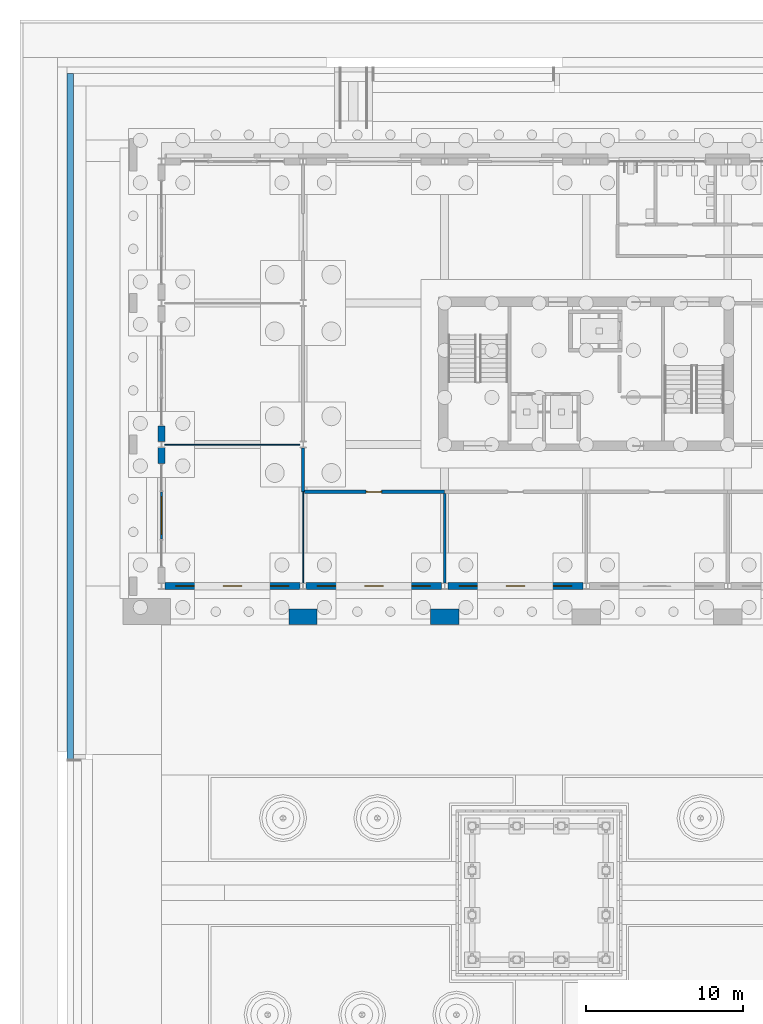
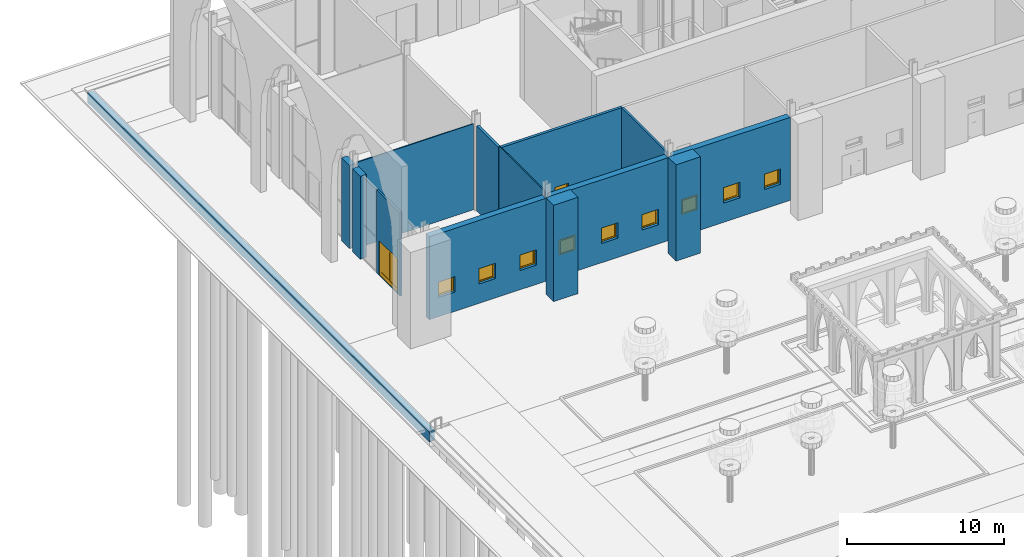
# One storey, part 102 of 250: 14 walls, 9 windows, 2 doors, 11 openings.
"""IFC4 building model written with IfcOpenShell, lengths in metres."""

from ifc_helpers import new_model, si_unit, direction, frame, frame_2d, origin, place, context, subcontext, project, spatial, polyline, rectangle, outline, extrude, material, layer, layer_set, type_object, element, fill, save


model = new_model("IFC4")

# Units and contexts
model_context = context("Model", 3, precision=1e-05, world=origin(), true_north=direction((0.0, 1.0)))
body_context = subcontext(model_context, "Body", "Model", "MODEL_VIEW")
ifc_project = project(units=[si_unit("LENGTHUNIT", "METRE"), si_unit("AREAUNIT", "SQUARE_METRE"), si_unit("VOLUMEUNIT", "CUBIC_METRE"), si_unit("PLANEANGLEUNIT", "RADIAN"), si_unit("MASSUNIT", "GRAM", prefix="KILO")], contexts=[model_context])

# Site, building, storey
site_placement = place(None, origin())
site = spatial("IfcSite", under=ifc_project, at=site_placement, CompositionType="ELEMENT")
building_placement = place(site_placement, origin())
building = spatial("IfcBuilding", under=site, at=building_placement, Name="Baradari Gate Terminus", CompositionType="ELEMENT")
storey_placement = place(building_placement, origin())
storey = spatial("IfcBuildingStorey", under=building, at=storey_placement, Name="L00", CompositionType="ELEMENT", Elevation=0.0)

# Wall, opening, door
ifc_material_1 = material(Name="Laminated glass in aluminium frame", Category="aluminium")
ifc_layer_1 = layer(ifc_material_1, 0.14990234375)
ifc_layer_set_1 = layer_set([ifc_layer_1], Name="Laminated glass in aluminium frame")
wall_type_1 = type_object("IfcWallType", Name="Glazed entrance screen WG-1 150", PredefinedType="ELEMENTEDWALL", material=ifc_layer_set_1)
wall_1_placement = place(storey_placement, frame((9.0, 120.0, 0.0), z_axis=(0.0, 0.0, 1.0), x_axis=(0.0, 1.0, 0.0)))
wall_1 = element("IfcWall", 1, at=wall_1_placement, inside=storey, type_object=wall_type_1, Name="Glazed entrance screen TW bay 13 L00", PredefinedType="ELEMENTEDWALL", context=body_context, shape_type="SweptSolid", body=[
    extrude(rectangle(XDim=3.0, YDim=0.14990234375, at=frame_2d((1.5, 0.0))), origin(), (0.0, 0.0, 1.0), 6.459716796875),
])
opening_1_placement = place(wall_1_placement, frame((0.300048828125, 0.0, 0.0)))
opening_1 = element("IfcOpeningElement", 2, at=opening_1_placement, cuts=wall_1, Name="Opening D00-007", PredefinedType="OPENING", context=body_context, shape_type="SweptSolid", body=[
    extrude(rectangle(XDim=2.39990234375, YDim=2.699951171875, at=frame_2d((1.199951171875, 1.35009765625))), frame((0.0, 0.0849609375, 0.0), z_axis=(0.0, -1.0, 0.0), x_axis=(1.0, 0.0, 0.0)), (0.0, 0.0, 1.0), 0.169921875),
])
ifc_material_2 = material(Name="Aluminium 6063-T6", Category="aluminium")
door_type_1 = type_object("IfcDoorType", Name="Shop entrance door pair, glazed DT-2 2400x2700", OperationType="DOUBLE_DOOR_DOUBLE_SWING", PredefinedType="DOOR", material=ifc_material_2)
door_1_placement = place(opening_1_placement, origin())
door_1 = element("IfcDoor", 3, at=door_1_placement, inside=storey, type_object=door_type_1, Name="Entrance door Kiosk 1", OperationType="DOUBLE_DOOR_SINGLE_SWING", OverallHeight=2.7, OverallWidth=2.4, PredefinedType="DOOR", context=body_context, shape_type="SweptSolid", body=[
    extrude(outline(polyline([(0.0, 0.0), (0.070068359375, 0.0), (0.070068359375, 2.6298828125), (2.329833984375, 2.6298828125), (2.329833984375, 0.0), (2.39990234375, 0.0), (2.39990234375, 2.699951171875), (0.0, 2.699951171875), (0.0, 0.0)])), frame((0.0, 0.02490234375, 0.0), z_axis=(0.0, -1.0, 0.0), x_axis=(1.0, 0.0, 0.0)), (0.0, 0.0, 1.0), 0.050048828125),
    extrude(outline(polyline([(0.073974609375, 0.010009765625), (1.19677734375, 0.010009765625), (1.19677734375, 2.6259765625), (0.073974609375, 2.6259765625), (0.073974609375, 0.010009765625)]), holes=[polyline([(0.1640625, 0.31005859375), (1.10693359375, 0.31005859375), (1.10693359375, 2.535888671875), (0.1640625, 2.535888671875), (0.1640625, 0.31005859375)])]), frame((0.0, 0.017333984375, 0.0), z_axis=(0.0, -1.0, 0.0), x_axis=(1.0, 0.0, 0.0)), (0.0, 0.0, 1.0), 0.034912109375),
    extrude(rectangle(XDim=0.94287109375, YDim=2.225830078125, at=frame_2d((0.635498046875, 1.4228515625))), frame((0.0, 0.005859375, 0.0), z_axis=(0.0, -1.0, 0.0), x_axis=(1.0, 0.0, 0.0)), (0.0, 0.0, 1.0), 0.011962890625),
    extrude(outline(polyline([(1.203125, 0.010009765625), (2.325927734375, 0.010009765625), (2.325927734375, 2.6259765625), (1.203125, 2.6259765625), (1.203125, 0.010009765625)]), holes=[polyline([(1.29296875, 0.31005859375), (2.23583984375, 0.31005859375), (2.23583984375, 2.535888671875), (1.29296875, 2.535888671875), (1.29296875, 0.31005859375)])]), frame((0.0, 0.017333984375, 0.0), z_axis=(0.0, -1.0, 0.0), x_axis=(1.0, 0.0, 0.0)), (0.0, 0.0, 1.0), 0.034912109375),
    extrude(rectangle(XDim=0.94287109375, YDim=2.225830078125, at=frame_2d((1.764404296875, 1.4228515625))), frame((0.0, 0.005859375, 0.0), z_axis=(0.0, -1.0, 0.0), x_axis=(1.0, 0.0, 0.0)), (0.0, 0.0, 1.0), 0.011962890625),
])
fill(opening_1, door_1)

# Walls
ifc_material_3 = material(Name="Aluminium framed glazed partition", Category="aluminium")
ifc_layer_2 = layer(ifc_material_3, 0.074951171875)
ifc_layer_set_2 = layer_set([ifc_layer_2], Name="Aluminium framed glazed partition")
wall_type_2 = type_object("IfcWallType", Name="Kiosk partition PT-9 75 EI 60", PredefinedType="PARTITIONING", material=ifc_layer_set_2)
wall_2_placement = place(storey_placement, frame((18.0, 123.0, 0.0), z_axis=(0.0, 0.0, 1.0), x_axis=(0.0, -1.0, 0.0)))
element("IfcWall", 4, at=wall_2_placement, inside=storey, type_object=wall_type_2, Name="PT-9 partition Kiosk 1 / Security Control Room", PredefinedType="PARTITIONING", context=body_context, shape_type="SweptSolid", body=[
    extrude(rectangle(XDim=5.80322265625, YDim=0.074951171875, at=frame_2d((2.901611328125, 0.0))), origin(), (0.0, 0.0, 1.0), 6.69189453125),
])
wall_3_placement = place(storey_placement, frame((9.199462890625, 126.0, 0.0), z_axis=(0.0, 0.0, 1.0), x_axis=(1.0, 0.0, 0.0)))
element("IfcWall", 5, at=wall_3_placement, inside=storey, type_object=wall_type_2, Name="PT-9 partition Kiosk 1 / Kiosk 2", PredefinedType="PARTITIONING", context=body_context, shape_type="SweptSolid", body=[
    extrude(rectangle(XDim=8.594482421875, YDim=0.074951171875, at=frame_2d((4.29736328125, 0.0))), origin(), (0.0, 0.0, 1.0), 6.69189453125),
])

# Wall, openings, windows
ifc_material_4 = material(Name="Laterite masonry", Category="masonry")
ifc_layer_3 = layer(ifc_material_4, 0.449951171875)
ifc_layer_set_3 = layer_set([ifc_layer_3], Name="Laterite masonry")
wall_type_3 = type_object("IfcWallType", Name="Laterite masonry pier WC-1 450", PredefinedType="SOLIDWALL", material=ifc_layer_set_3)
wall_4_placement = place(storey_placement, frame((9.22509765625, 117.0, 0.0), z_axis=(0.0, 0.0, 1.0), x_axis=(1.0, 0.0, 0.0)))
wall_4 = element("IfcWall", 6, at=wall_4_placement, inside=storey, type_object=wall_type_3, Name="Operations block south wall TS bay 2 L00", PredefinedType="SOLIDWALL", context=body_context, shape_type="SweptSolid", body=[
    extrude(rectangle(XDim=8.575439453125, YDim=0.449951171875, at=frame_2d((4.28759765625, 0.0))), origin(), (0.0, 0.0, 1.0), 6.459716796875),
])
opening_2_placement = place(wall_4_placement, frame((0.675048828125, 0.0, 1.5)))
opening_2 = element("IfcOpeningElement", 7, at=opening_2_placement, cuts=wall_4, Name="Opening W2", PredefinedType="OPENING", context=body_context, shape_type="SweptSolid", body=[
    extrude(rectangle(XDim=1.199951171875, YDim=1.199951171875, at=frame_2d((0.60009765625, 0.60009765625))), frame((0.0, 0.23486328125, 0.0), z_axis=(0.0, -1.0, 0.0), x_axis=(1.0, 0.0, 0.0)), (0.0, 0.0, 1.0), 0.469970703125),
])
opening_3_placement = place(wall_4_placement, frame((3.675048828125, 0.0, 1.5)))
opening_3 = element("IfcOpeningElement", 8, at=opening_3_placement, cuts=wall_4, Name="Opening W2", PredefinedType="OPENING", context=body_context, shape_type="SweptSolid", body=[
    extrude(rectangle(XDim=1.199951171875, YDim=1.199951171875, at=frame_2d((0.60009765625, 0.60009765625))), frame((0.0, 0.23486328125, 0.0), z_axis=(0.0, -1.0, 0.0), x_axis=(1.0, 0.0, 0.0)), (0.0, 0.0, 1.0), 0.469970703125),
])
opening_4_placement = place(wall_4_placement, frame((6.675048828125, 0.0, 1.5)))
opening_4 = element("IfcOpeningElement", 9, at=opening_4_placement, cuts=wall_4, Name="Opening W2", PredefinedType="OPENING", context=body_context, shape_type="SweptSolid", body=[
    extrude(rectangle(XDim=1.199951171875, YDim=1.199951171875, at=frame_2d((0.60009765625, 0.60009765625))), frame((0.0, 0.23486328125, 0.0), z_axis=(0.0, -1.0, 0.0), x_axis=(1.0, 0.0, 0.0)), (0.0, 0.0, 1.0), 0.469970703125),
])
ifc_material_5 = material(Name="Aluminium 6063-T6", Category="aluminium")
window_type = type_object("IfcWindowType", Name="High-level window W2 1200x1200", PartitioningType="SINGLE_PANEL", PredefinedType="WINDOW", material=ifc_material_5)
window_1_placement = place(opening_2_placement, origin())
window_1 = element("IfcWindow", 10, at=window_1_placement, inside=storey, type_object=window_type, Name="Window W2 TS/01", OverallHeight=1.2, OverallWidth=1.2, PartitioningType="SINGLE_PANEL", PredefinedType="WINDOW", context=body_context, shape_type="SweptSolid", body=[
    extrude(outline(polyline([(0.0, 0.0), (1.199951171875, 0.0), (1.199951171875, 1.199951171875), (0.0, 1.199951171875), (0.0, 0.0)]), holes=[polyline([(0.070068359375, 0.070068359375), (1.1298828125, 0.070068359375), (1.1298828125, 1.1298828125), (0.070068359375, 1.1298828125), (0.070068359375, 0.070068359375)])]), frame((0.0, 0.030029296875, 0.0), z_axis=(0.0, -1.0, 0.0), x_axis=(1.0, 0.0, 0.0)), (0.0, 0.0, 1.0), 0.06005859375),
    extrude(outline(polyline([(0.070068359375, 0.070068359375), (1.1298828125, 0.070068359375), (1.1298828125, 1.1298828125), (0.070068359375, 1.1298828125), (0.070068359375, 0.070068359375)]), holes=[polyline([(0.10009765625, 0.10009765625), (1.099853515625, 0.10009765625), (1.099853515625, 1.099853515625), (0.10009765625, 1.099853515625), (0.10009765625, 0.10009765625)])]), frame((0.0, 0.0224609375, 0.0), z_axis=(0.0, -1.0, 0.0), x_axis=(1.0, 0.0, 0.0)), (0.0, 0.0, 1.0), 0.044921875),
    extrude(rectangle(XDim=0.999755859375, YDim=0.999755859375, at=frame_2d((0.60009765625, 0.60009765625))), frame((0.0, 0.006103515625, 0.0), z_axis=(0.0, -1.0, 0.0), x_axis=(1.0, 0.0, 0.0)), (0.0, 0.0, 1.0), 0.01220703125),
])
fill(opening_2, window_1)
window_2_placement = place(opening_3_placement, origin())
window_2 = element("IfcWindow", 11, at=window_2_placement, inside=storey, type_object=window_type, Name="Window W2 TS/01", OverallHeight=1.2, OverallWidth=1.2, PartitioningType="SINGLE_PANEL", PredefinedType="WINDOW", context=body_context, shape_type="SweptSolid", body=[
    extrude(outline(polyline([(0.0, 0.0), (1.199951171875, 0.0), (1.199951171875, 1.199951171875), (0.0, 1.199951171875), (0.0, 0.0)]), holes=[polyline([(0.070068359375, 0.070068359375), (1.1298828125, 0.070068359375), (1.1298828125, 1.1298828125), (0.070068359375, 1.1298828125), (0.070068359375, 0.070068359375)])]), frame((0.0, 0.030029296875, 0.0), z_axis=(0.0, -1.0, 0.0), x_axis=(1.0, 0.0, 0.0)), (0.0, 0.0, 1.0), 0.06005859375),
    extrude(outline(polyline([(0.070068359375, 0.070068359375), (1.1298828125, 0.070068359375), (1.1298828125, 1.1298828125), (0.070068359375, 1.1298828125), (0.070068359375, 0.070068359375)]), holes=[polyline([(0.10009765625, 0.10009765625), (1.099853515625, 0.10009765625), (1.099853515625, 1.099853515625), (0.10009765625, 1.099853515625), (0.10009765625, 0.10009765625)])]), frame((0.0, 0.0224609375, 0.0), z_axis=(0.0, -1.0, 0.0), x_axis=(1.0, 0.0, 0.0)), (0.0, 0.0, 1.0), 0.044921875),
    extrude(rectangle(XDim=0.999755859375, YDim=0.999755859375, at=frame_2d((0.60009765625, 0.60009765625))), frame((0.0, 0.006103515625, 0.0), z_axis=(0.0, -1.0, 0.0), x_axis=(1.0, 0.0, 0.0)), (0.0, 0.0, 1.0), 0.01220703125),
])
fill(opening_3, window_2)
window_3_placement = place(opening_4_placement, origin())
window_3 = element("IfcWindow", 12, at=window_3_placement, inside=storey, type_object=window_type, Name="Window W2 TS/01", OverallHeight=1.2, OverallWidth=1.2, PartitioningType="SINGLE_PANEL", PredefinedType="WINDOW", context=body_context, shape_type="SweptSolid", body=[
    extrude(outline(polyline([(0.0, 0.0), (1.199951171875, 0.0), (1.199951171875, 1.199951171875), (0.0, 1.199951171875), (0.0, 0.0)]), holes=[polyline([(0.070068359375, 0.070068359375), (1.1298828125, 0.070068359375), (1.1298828125, 1.1298828125), (0.070068359375, 1.1298828125), (0.070068359375, 0.070068359375)])]), frame((0.0, 0.030029296875, 0.0), z_axis=(0.0, -1.0, 0.0), x_axis=(1.0, 0.0, 0.0)), (0.0, 0.0, 1.0), 0.06005859375),
    extrude(outline(polyline([(0.070068359375, 0.070068359375), (1.1298828125, 0.070068359375), (1.1298828125, 1.1298828125), (0.070068359375, 1.1298828125), (0.070068359375, 0.070068359375)]), holes=[polyline([(0.10009765625, 0.10009765625), (1.099853515625, 0.10009765625), (1.099853515625, 1.099853515625), (0.10009765625, 1.099853515625), (0.10009765625, 0.10009765625)])]), frame((0.0, 0.0224609375, 0.0), z_axis=(0.0, -1.0, 0.0), x_axis=(1.0, 0.0, 0.0)), (0.0, 0.0, 1.0), 0.044921875),
    extrude(rectangle(XDim=0.999755859375, YDim=0.999755859375, at=frame_2d((0.60009765625, 0.60009765625))), frame((0.0, 0.006103515625, 0.0), z_axis=(0.0, -1.0, 0.0), x_axis=(1.0, 0.0, 0.0)), (0.0, 0.0, 1.0), 0.01220703125),
])
fill(opening_4, window_3)

wall_5_placement = place(storey_placement, frame((18.199462890625, 117.0, 0.0), z_axis=(0.0, 0.0, 1.0), x_axis=(1.0, 0.0, 0.0)))
wall_5 = element("IfcWall", 13, at=wall_5_placement, inside=storey, type_object=wall_type_3, Name="Operations block south wall TS bay 3 L00", PredefinedType="SOLIDWALL", context=body_context, shape_type="SweptSolid", body=[
    extrude(rectangle(XDim=8.60107421875, YDim=0.449951171875, at=frame_2d((4.300537109375, 0.0))), origin(), (0.0, 0.0, 1.0), 6.459716796875),
])
opening_5_placement = place(wall_5_placement, frame((0.700439453125, 0.0, 1.5)))
opening_5 = element("IfcOpeningElement", 14, at=opening_5_placement, cuts=wall_5, Name="Opening W2", PredefinedType="OPENING", context=body_context, shape_type="SweptSolid", body=[
    extrude(rectangle(XDim=1.199951171875, YDim=1.199951171875, at=frame_2d((0.60009765625, 0.60009765625))), frame((0.0, 0.23486328125, 0.0), z_axis=(0.0, -1.0, 0.0), x_axis=(1.0, 0.0, 0.0)), (0.0, 0.0, 1.0), 0.469970703125),
])
opening_6_placement = place(wall_5_placement, frame((3.700439453125, 0.0, 1.5)))
opening_6 = element("IfcOpeningElement", 15, at=opening_6_placement, cuts=wall_5, Name="Opening W2", PredefinedType="OPENING", context=body_context, shape_type="SweptSolid", body=[
    extrude(rectangle(XDim=1.199951171875, YDim=1.199951171875, at=frame_2d((0.60009765625, 0.60009765625))), frame((0.0, 0.23486328125, 0.0), z_axis=(0.0, -1.0, 0.0), x_axis=(1.0, 0.0, 0.0)), (0.0, 0.0, 1.0), 0.469970703125),
])
opening_7_placement = place(wall_5_placement, frame((6.700439453125, 0.0, 1.5)))
opening_7 = element("IfcOpeningElement", 16, at=opening_7_placement, cuts=wall_5, Name="Opening W2", PredefinedType="OPENING", context=body_context, shape_type="SweptSolid", body=[
    extrude(rectangle(XDim=1.199951171875, YDim=1.199951171875, at=frame_2d((0.60009765625, 0.60009765625))), frame((0.0, 0.23486328125, 0.0), z_axis=(0.0, -1.0, 0.0), x_axis=(1.0, 0.0, 0.0)), (0.0, 0.0, 1.0), 0.469970703125),
])
window_4_placement = place(opening_5_placement, origin())
window_4 = element("IfcWindow", 17, at=window_4_placement, inside=storey, type_object=window_type, Name="Window W2 TS/02", OverallHeight=1.2, OverallWidth=1.2, PartitioningType="SINGLE_PANEL", PredefinedType="WINDOW", context=body_context, shape_type="SweptSolid", body=[
    extrude(outline(polyline([(0.0, 0.0), (1.199951171875, 0.0), (1.199951171875, 1.199951171875), (0.0, 1.199951171875), (0.0, 0.0)]), holes=[polyline([(0.070068359375, 0.070068359375), (1.1298828125, 0.070068359375), (1.1298828125, 1.1298828125), (0.070068359375, 1.1298828125), (0.070068359375, 0.070068359375)])]), frame((0.0, 0.030029296875, 0.0), z_axis=(0.0, -1.0, 0.0), x_axis=(1.0, 0.0, 0.0)), (0.0, 0.0, 1.0), 0.06005859375),
    extrude(outline(polyline([(0.070068359375, 0.070068359375), (1.1298828125, 0.070068359375), (1.1298828125, 1.1298828125), (0.070068359375, 1.1298828125), (0.070068359375, 0.070068359375)]), holes=[polyline([(0.10009765625, 0.10009765625), (1.099853515625, 0.10009765625), (1.099853515625, 1.099853515625), (0.10009765625, 1.099853515625), (0.10009765625, 0.10009765625)])]), frame((0.0, 0.0224609375, 0.0), z_axis=(0.0, -1.0, 0.0), x_axis=(1.0, 0.0, 0.0)), (0.0, 0.0, 1.0), 0.044921875),
    extrude(rectangle(XDim=0.999755859375, YDim=0.999755859375, at=frame_2d((0.60009765625, 0.60009765625))), frame((0.0, 0.006103515625, 0.0), z_axis=(0.0, -1.0, 0.0), x_axis=(1.0, 0.0, 0.0)), (0.0, 0.0, 1.0), 0.01220703125),
])
fill(opening_5, window_4)
window_5_placement = place(opening_6_placement, origin())
window_5 = element("IfcWindow", 18, at=window_5_placement, inside=storey, type_object=window_type, Name="Window W2 TS/02", OverallHeight=1.2, OverallWidth=1.2, PartitioningType="SINGLE_PANEL", PredefinedType="WINDOW", context=body_context, shape_type="SweptSolid", body=[
    extrude(outline(polyline([(0.0, 0.0), (1.199951171875, 0.0), (1.199951171875, 1.199951171875), (0.0, 1.199951171875), (0.0, 0.0)]), holes=[polyline([(0.070068359375, 0.070068359375), (1.1298828125, 0.070068359375), (1.1298828125, 1.1298828125), (0.070068359375, 1.1298828125), (0.070068359375, 0.070068359375)])]), frame((0.0, 0.030029296875, 0.0), z_axis=(0.0, -1.0, 0.0), x_axis=(1.0, 0.0, 0.0)), (0.0, 0.0, 1.0), 0.06005859375),
    extrude(outline(polyline([(0.070068359375, 0.070068359375), (1.1298828125, 0.070068359375), (1.1298828125, 1.1298828125), (0.070068359375, 1.1298828125), (0.070068359375, 0.070068359375)]), holes=[polyline([(0.10009765625, 0.10009765625), (1.099853515625, 0.10009765625), (1.099853515625, 1.099853515625), (0.10009765625, 1.099853515625), (0.10009765625, 0.10009765625)])]), frame((0.0, 0.0224609375, 0.0), z_axis=(0.0, -1.0, 0.0), x_axis=(1.0, 0.0, 0.0)), (0.0, 0.0, 1.0), 0.044921875),
    extrude(rectangle(XDim=0.999755859375, YDim=0.999755859375, at=frame_2d((0.60009765625, 0.60009765625))), frame((0.0, 0.006103515625, 0.0), z_axis=(0.0, -1.0, 0.0), x_axis=(1.0, 0.0, 0.0)), (0.0, 0.0, 1.0), 0.01220703125),
])
fill(opening_6, window_5)
window_6_placement = place(opening_7_placement, origin())
window_6 = element("IfcWindow", 19, at=window_6_placement, inside=storey, type_object=window_type, Name="Window W2 TS/02", OverallHeight=1.2, OverallWidth=1.2, PartitioningType="SINGLE_PANEL", PredefinedType="WINDOW", context=body_context, shape_type="SweptSolid", body=[
    extrude(outline(polyline([(0.0, 0.0), (1.199951171875, 0.0), (1.199951171875, 1.199951171875), (0.0, 1.199951171875), (0.0, 0.0)]), holes=[polyline([(0.070068359375, 0.070068359375), (1.1298828125, 0.070068359375), (1.1298828125, 1.1298828125), (0.070068359375, 1.1298828125), (0.070068359375, 0.070068359375)])]), frame((0.0, 0.030029296875, 0.0), z_axis=(0.0, -1.0, 0.0), x_axis=(1.0, 0.0, 0.0)), (0.0, 0.0, 1.0), 0.06005859375),
    extrude(outline(polyline([(0.070068359375, 0.070068359375), (1.1298828125, 0.070068359375), (1.1298828125, 1.1298828125), (0.070068359375, 1.1298828125), (0.070068359375, 0.070068359375)]), holes=[polyline([(0.10009765625, 0.10009765625), (1.099853515625, 0.10009765625), (1.099853515625, 1.099853515625), (0.10009765625, 1.099853515625), (0.10009765625, 0.10009765625)])]), frame((0.0, 0.0224609375, 0.0), z_axis=(0.0, -1.0, 0.0), x_axis=(1.0, 0.0, 0.0)), (0.0, 0.0, 1.0), 0.044921875),
    extrude(rectangle(XDim=0.999755859375, YDim=0.999755859375, at=frame_2d((0.60009765625, 0.60009765625))), frame((0.0, 0.006103515625, 0.0), z_axis=(0.0, -1.0, 0.0), x_axis=(1.0, 0.0, 0.0)), (0.0, 0.0, 1.0), 0.01220703125),
])
fill(opening_7, window_6)

wall_6_placement = place(storey_placement, frame((27.199462890625, 117.0, 0.0), z_axis=(0.0, 0.0, 1.0), x_axis=(1.0, 0.0, 0.0)))
wall_6 = element("IfcWall", 20, at=wall_6_placement, inside=storey, type_object=wall_type_3, Name="Operations block south wall TS bay 4 L00", PredefinedType="SOLIDWALL", context=body_context, shape_type="SweptSolid", body=[
    extrude(rectangle(XDim=8.60107421875, YDim=0.449951171875, at=frame_2d((4.300537109375, 0.0))), origin(), (0.0, 0.0, 1.0), 6.459716796875),
])
opening_8_placement = place(wall_6_placement, frame((0.700439453125, 0.0, 1.5)))
opening_8 = element("IfcOpeningElement", 21, at=opening_8_placement, cuts=wall_6, Name="Opening W2", PredefinedType="OPENING", context=body_context, shape_type="SweptSolid", body=[
    extrude(rectangle(XDim=1.199951171875, YDim=1.199951171875, at=frame_2d((0.60009765625, 0.60009765625))), frame((0.0, 0.23486328125, 0.0), z_axis=(0.0, -1.0, 0.0), x_axis=(1.0, 0.0, 0.0)), (0.0, 0.0, 1.0), 0.469970703125),
])
opening_9_placement = place(wall_6_placement, frame((3.700439453125, 0.0, 1.5)))
opening_9 = element("IfcOpeningElement", 22, at=opening_9_placement, cuts=wall_6, Name="Opening W2", PredefinedType="OPENING", context=body_context, shape_type="SweptSolid", body=[
    extrude(rectangle(XDim=1.199951171875, YDim=1.199951171875, at=frame_2d((0.60009765625, 0.60009765625))), frame((0.0, 0.23486328125, 0.0), z_axis=(0.0, -1.0, 0.0), x_axis=(1.0, 0.0, 0.0)), (0.0, 0.0, 1.0), 0.469970703125),
])
opening_10_placement = place(wall_6_placement, frame((6.700439453125, 0.0, 1.5)))
opening_10 = element("IfcOpeningElement", 23, at=opening_10_placement, cuts=wall_6, Name="Opening W2", PredefinedType="OPENING", context=body_context, shape_type="SweptSolid", body=[
    extrude(rectangle(XDim=1.199951171875, YDim=1.199951171875, at=frame_2d((0.60009765625, 0.60009765625))), frame((0.0, 0.23486328125, 0.0), z_axis=(0.0, -1.0, 0.0), x_axis=(1.0, 0.0, 0.0)), (0.0, 0.0, 1.0), 0.469970703125),
])
window_7_placement = place(opening_8_placement, origin())
window_7 = element("IfcWindow", 24, at=window_7_placement, inside=storey, type_object=window_type, Name="Window W2 TS/03", OverallHeight=1.2, OverallWidth=1.2, PartitioningType="SINGLE_PANEL", PredefinedType="WINDOW", context=body_context, shape_type="SweptSolid", body=[
    extrude(outline(polyline([(0.0, 0.0), (1.199951171875, 0.0), (1.199951171875, 1.199951171875), (0.0, 1.199951171875), (0.0, 0.0)]), holes=[polyline([(0.070068359375, 0.070068359375), (1.1298828125, 0.070068359375), (1.1298828125, 1.1298828125), (0.070068359375, 1.1298828125), (0.070068359375, 0.070068359375)])]), frame((0.0, 0.030029296875, 0.0), z_axis=(0.0, -1.0, 0.0), x_axis=(1.0, 0.0, 0.0)), (0.0, 0.0, 1.0), 0.06005859375),
    extrude(outline(polyline([(0.070068359375, 0.070068359375), (1.1298828125, 0.070068359375), (1.1298828125, 1.1298828125), (0.070068359375, 1.1298828125), (0.070068359375, 0.070068359375)]), holes=[polyline([(0.10009765625, 0.10009765625), (1.099853515625, 0.10009765625), (1.099853515625, 1.099853515625), (0.10009765625, 1.099853515625), (0.10009765625, 0.10009765625)])]), frame((0.0, 0.0224609375, 0.0), z_axis=(0.0, -1.0, 0.0), x_axis=(1.0, 0.0, 0.0)), (0.0, 0.0, 1.0), 0.044921875),
    extrude(rectangle(XDim=0.999755859375, YDim=0.999755859375, at=frame_2d((0.60009765625, 0.60009765625))), frame((0.0, 0.006103515625, 0.0), z_axis=(0.0, -1.0, 0.0), x_axis=(1.0, 0.0, 0.0)), (0.0, 0.0, 1.0), 0.01220703125),
])
fill(opening_8, window_7)
window_8_placement = place(opening_9_placement, origin())
window_8 = element("IfcWindow", 25, at=window_8_placement, inside=storey, type_object=window_type, Name="Window W2 TS/03", OverallHeight=1.2, OverallWidth=1.2, PartitioningType="SINGLE_PANEL", PredefinedType="WINDOW", context=body_context, shape_type="SweptSolid", body=[
    extrude(outline(polyline([(0.0, 0.0), (1.199951171875, 0.0), (1.199951171875, 1.199951171875), (0.0, 1.199951171875), (0.0, 0.0)]), holes=[polyline([(0.070068359375, 0.070068359375), (1.1298828125, 0.070068359375), (1.1298828125, 1.1298828125), (0.070068359375, 1.1298828125), (0.070068359375, 0.070068359375)])]), frame((0.0, 0.030029296875, 0.0), z_axis=(0.0, -1.0, 0.0), x_axis=(1.0, 0.0, 0.0)), (0.0, 0.0, 1.0), 0.06005859375),
    extrude(outline(polyline([(0.070068359375, 0.070068359375), (1.1298828125, 0.070068359375), (1.1298828125, 1.1298828125), (0.070068359375, 1.1298828125), (0.070068359375, 0.070068359375)]), holes=[polyline([(0.10009765625, 0.10009765625), (1.099853515625, 0.10009765625), (1.099853515625, 1.099853515625), (0.10009765625, 1.099853515625), (0.10009765625, 0.10009765625)])]), frame((0.0, 0.0224609375, 0.0), z_axis=(0.0, -1.0, 0.0), x_axis=(1.0, 0.0, 0.0)), (0.0, 0.0, 1.0), 0.044921875),
    extrude(rectangle(XDim=0.999755859375, YDim=0.999755859375, at=frame_2d((0.60009765625, 0.60009765625))), frame((0.0, 0.006103515625, 0.0), z_axis=(0.0, -1.0, 0.0), x_axis=(1.0, 0.0, 0.0)), (0.0, 0.0, 1.0), 0.01220703125),
])
fill(opening_9, window_8)
window_9_placement = place(opening_10_placement, origin())
window_9 = element("IfcWindow", 26, at=window_9_placement, inside=storey, type_object=window_type, Name="Window W2 TS/03", OverallHeight=1.2, OverallWidth=1.2, PartitioningType="SINGLE_PANEL", PredefinedType="WINDOW", context=body_context, shape_type="SweptSolid", body=[
    extrude(outline(polyline([(0.0, 0.0), (1.199951171875, 0.0), (1.199951171875, 1.199951171875), (0.0, 1.199951171875), (0.0, 0.0)]), holes=[polyline([(0.070068359375, 0.070068359375), (1.1298828125, 0.070068359375), (1.1298828125, 1.1298828125), (0.070068359375, 1.1298828125), (0.070068359375, 0.070068359375)])]), frame((0.0, 0.030029296875, 0.0), z_axis=(0.0, -1.0, 0.0), x_axis=(1.0, 0.0, 0.0)), (0.0, 0.0, 1.0), 0.06005859375),
    extrude(outline(polyline([(0.070068359375, 0.070068359375), (1.1298828125, 0.070068359375), (1.1298828125, 1.1298828125), (0.070068359375, 1.1298828125), (0.070068359375, 0.070068359375)]), holes=[polyline([(0.10009765625, 0.10009765625), (1.099853515625, 0.10009765625), (1.099853515625, 1.099853515625), (0.10009765625, 1.099853515625), (0.10009765625, 0.10009765625)])]), frame((0.0, 0.0224609375, 0.0), z_axis=(0.0, -1.0, 0.0), x_axis=(1.0, 0.0, 0.0)), (0.0, 0.0, 1.0), 0.044921875),
    extrude(rectangle(XDim=0.999755859375, YDim=0.999755859375, at=frame_2d((0.60009765625, 0.60009765625))), frame((0.0, 0.006103515625, 0.0), z_axis=(0.0, -1.0, 0.0), x_axis=(1.0, 0.0, 0.0)), (0.0, 0.0, 1.0), 0.01220703125),
])
fill(opening_10, window_9)

# Walls
for number, where, z_axis, x_axis, name in (
    (27, (9.0, 124.800048828125, 0.0), (0.0, 0.0, 1.0), (0.0, 1.0, 0.0), "Stone-clad pier TW bay 13 L00"),
    (28, (9.0, 126.19677734375, 0.0), (0.0, 0.0, 1.0), (0.0, 1.0, 0.0), "Stone-clad pier TW bay 14 L00"),
):
    element("IfcWall", number, at=place(storey_placement, frame(where, z_axis=z_axis, x_axis=x_axis)), inside=storey, type_object=wall_type_3, Name=name, PredefinedType="SOLIDWALL", context=body_context, shape_type="SweptSolid", body=[
        extrude(rectangle(XDim=1.003173828125, YDim=0.449951171875, at=frame_2d((0.50146484375, 0.0))), origin(), (0.0, 0.0, 1.0), 6.459716796875),
    ])

# Wall, opening, door
ifc_material_6 = material(Name="Blockwork wall, plastered, fire rated", Category="masonry")
ifc_layer_4 = layer(ifc_material_6, 0.199951171875)
ifc_layer_set_4 = layer_set([ifc_layer_4], Name="Blockwork wall, plastered, fire rated")
wall_type_4 = type_object("IfcWallType", Name="Lobby partition PT-4 200 EI 60", PredefinedType="PARTITIONING", material=ifc_layer_set_4)
wall_7_placement = place(storey_placement, frame((27.0, 123.0, 0.0), z_axis=(0.0, 0.0, 1.0), x_axis=(-1.0, 0.0, 0.0)))
wall_7 = element("IfcWall", 29, at=wall_7_placement, inside=storey, type_object=wall_type_4, Name="PT-4 partition Staff and Visitor Lobby / Security Control Room", PredefinedType="PARTITIONING", context=body_context, shape_type="SweptSolid", body=[
    extrude(rectangle(XDim=8.89990234375, YDim=0.199951171875, at=frame_2d((4.449951171875, 0.0))), origin(), (0.0, 0.0, 1.0), 6.60009765625),
])
opening_11_placement = place(wall_7_placement, frame((4.0, 0.0, 0.0)))
opening_11 = element("IfcOpeningElement", 30, at=opening_11_placement, cuts=wall_7, Name="Opening D00-095", PredefinedType="OPENING", context=body_context, shape_type="SweptSolid", body=[
    extrude(rectangle(XDim=1.0, YDim=2.10009765625, at=frame_2d((0.5, 1.050048828125))), frame((0.0, 0.10986328125, 0.0), z_axis=(0.0, -1.0, 0.0), x_axis=(1.0, 0.0, 0.0)), (0.0, 0.0, 1.0), 0.219970703125),
])
ifc_material_7 = material(Name="Steel S275", Category="steel")
door_type_2 = type_object("IfcDoorType", Name="Fire door FI-1000-FD60S 1000x2100 FD60S", OperationType="SINGLE_SWING_LEFT", PredefinedType="DOOR", material=ifc_material_7)
door_2_placement = place(opening_11_placement, origin())
door_2 = element("IfcDoor", 31, at=door_2_placement, inside=storey, type_object=door_type_2, Name="Door Security Control Room", OperationType="SINGLE_SWING_LEFT", OverallHeight=2.1, OverallWidth=1.0, PredefinedType="DOOR", context=body_context, shape_type="SweptSolid", body=[
    extrude(outline(polyline([(0.0, 0.0), (0.070068359375, 0.0), (0.070068359375, 2.030029296875), (0.929931640625, 2.030029296875), (0.929931640625, 0.0), (1.0, 0.0), (1.0, 2.10009765625), (0.0, 2.10009765625), (0.0, 0.0)])), frame((0.0, 0.02490234375, 0.0), z_axis=(0.0, -1.0, 0.0), x_axis=(1.0, 0.0, 0.0)), (0.0, 0.0, 1.0), 0.050048828125),
    extrude(outline(polyline([(0.073974609375, 0.010009765625), (0.926025390625, 0.010009765625), (0.926025390625, 2.026123046875), (0.073974609375, 2.026123046875), (0.073974609375, 0.010009765625)]), holes=[polyline([(0.194091796875, 0.159912109375), (0.805908203125, 0.159912109375), (0.805908203125, 1.010009765625), (0.194091796875, 1.010009765625), (0.194091796875, 0.159912109375)]), polyline([(0.35009765625, 1.159912109375), (0.64990234375, 1.159912109375), (0.64990234375, 1.760009765625), (0.35009765625, 1.760009765625), (0.35009765625, 1.159912109375)])]), frame((0.0, 0.017333984375, 0.0), z_axis=(0.0, -1.0, 0.0), x_axis=(1.0, 0.0, 0.0)), (0.0, 0.0, 1.0), 0.034912109375),
    extrude(rectangle(XDim=0.61181640625, YDim=0.85009765625, at=frame_2d((0.5, 0.5849609375))), frame((0.0, 0.008544921875, 0.0), z_axis=(0.0, -1.0, 0.0), x_axis=(1.0, 0.0, 0.0)), (0.0, 0.0, 1.0), 0.017333984375),
    extrude(rectangle(XDim=0.2998046875, YDim=0.60009765625, at=frame_2d((0.5, 1.4599609375))), frame((0.0, 0.005859375, 0.0), z_axis=(0.0, -1.0, 0.0), x_axis=(1.0, 0.0, 0.0)), (0.0, 0.0, 1.0), 0.011962890625),
])
fill(opening_11, door_2)

# Walls
wall_8_placement = place(storey_placement, frame((18.0, 123.0, 0.0), z_axis=(0.0, 0.0, 1.0), x_axis=(0.0, 1.0, 0.0)))
element("IfcWall", 32, at=wall_8_placement, inside=storey, type_object=wall_type_4, Name="PT-4 partition Staff and Visitor Lobby / Kiosk 1", PredefinedType="PARTITIONING", context=body_context, shape_type="SweptSolid", body=[
    extrude(rectangle(XDim=2.78173828125, YDim=0.199951171875, at=frame_2d((1.390869140625, 0.0))), origin(), (0.0, 0.0, 1.0), 6.60009765625),
])
ifc_material_8 = material(Name="Blockwork wall, plastered", Category="masonry")
ifc_layer_5 = layer(ifc_material_8, 0.14990234375)
ifc_layer_set_5 = layer_set([ifc_layer_5], Name="Blockwork wall, plastered")
wall_type_5 = type_object("IfcWallType", Name="Partition PT-2 150 EI 60", PredefinedType="PARTITIONING", material=ifc_layer_set_5)
wall_9_placement = place(storey_placement, frame((27.0, 122.89990234375, 0.0), z_axis=(0.0, 0.0, 1.0), x_axis=(0.0, -1.0, 0.0)))
element("IfcWall", 33, at=wall_9_placement, inside=storey, type_object=wall_type_5, Name="PT-2 partition Security Control Room / Mail Room", PredefinedType="PARTITIONING", context=body_context, shape_type="SweptSolid", body=[
    extrude(rectangle(XDim=5.703125, YDim=0.14990234375, at=frame_2d((2.8515625, 0.0))), origin(), (0.0, 0.0, 1.0), 6.60009765625),
])
ifc_material_9 = material(Name="Sandstone masonry", Category="masonry")
ifc_layer_6 = layer(ifc_material_9, 0.39990234375)
ifc_layer_set_6 = layer_set([ifc_layer_6], Name="Sandstone masonry")
wall_type_6 = type_object("IfcWallType", Name="Plinth retaining wall KW-1 400", PredefinedType="SOLIDWALL", material=ifc_layer_set_6)
wall_10_placement = place(storey_placement, frame((3.199951171875, 106.0, -0.800048828125), z_axis=(0.0, 0.0, 1.0), x_axis=(0.0, 1.0, 0.0)))
element("IfcWall", 34, at=wall_10_placement, inside=storey, type_object=wall_type_6, Name="Plinth retaining wall W3", PredefinedType="SOLIDWALL", context=body_context, shape_type="SweptSolid", body=[
    extrude(rectangle(XDim=43.60009765625, YDim=0.39990234375, at=frame_2d((21.800048828125, 0.0))), origin(), (0.0, 0.0, 1.0), 0.800048828125),
])
ifc_material_10 = material(Name="Concrete C40/50 precast", Category="concrete")
ifc_layer_7 = layer(ifc_material_10, 0.9)
ifc_material_11 = material(Name="Sandstone cladding", Category="masonry")
ifc_layer_8 = layer(ifc_material_11, 0.1)
ifc_layer_set_7 = layer_set([ifc_layer_7, ifc_layer_8], Name="Concrete C40/50 precast")
wall_type_7 = type_object("IfcWallType", Name="Sandstone-faced precast grid pier WQ-6 1000", PredefinedType="SOLIDWALL", material=ifc_layer_set_7)
for number, where, z_axis, x_axis, name in (
    (35, (17.10009765625, 115.054931640625, 0.0), (0.0, 0.0, 1.0), (1.0, 0.0, 0.0), "Frame pier S face bay 1 a L00"),
    (36, (26.10009765625, 115.054931640625, 0.0), (0.0, 0.0, 1.0), (1.0, 0.0, 0.0), "Frame pier S face bay 1 b L00"),
):
    element("IfcWall", number, at=place(storey_placement, frame(where, z_axis=z_axis, x_axis=x_axis)), inside=storey, type_object=wall_type_7, Name=name, PredefinedType="SOLIDWALL", context=body_context, shape_type="SweptSolid", body=[
        extrude(rectangle(XDim=1.7998046875, YDim=1.0, at=frame_2d((0.89990234375, 0.0))), origin(), (0.0, 0.0, 1.0), 7.5),
    ])

save(model, "model.ifc")
